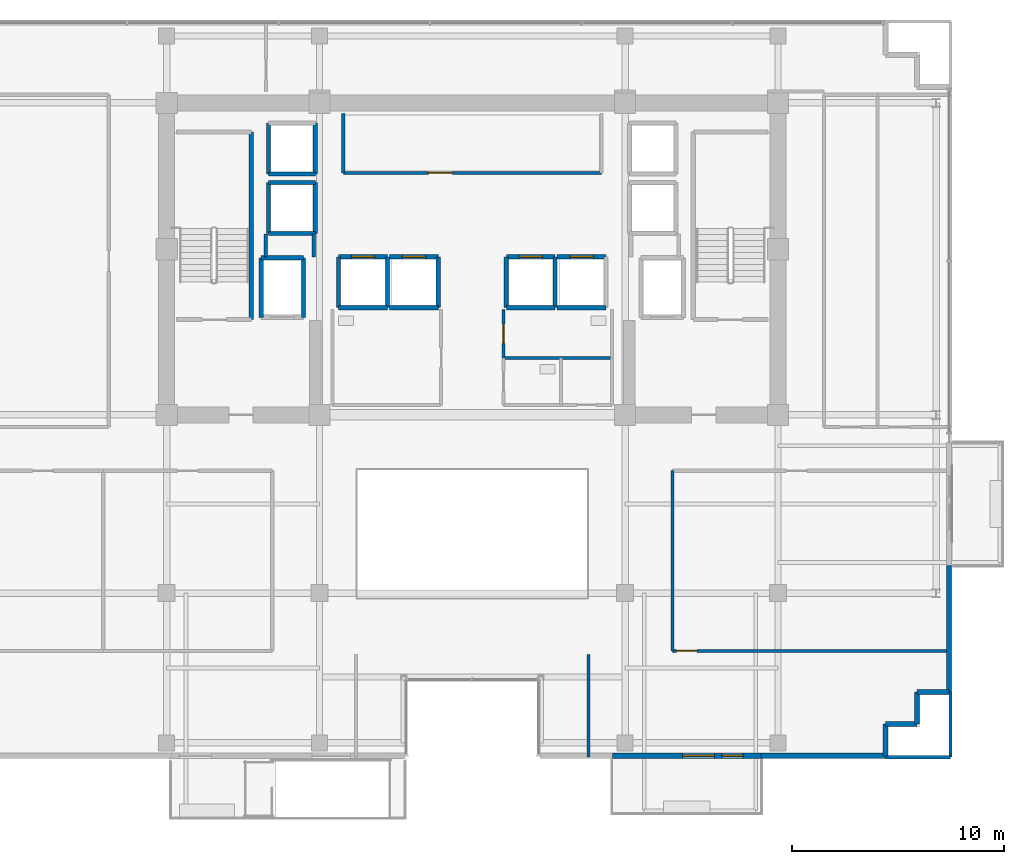
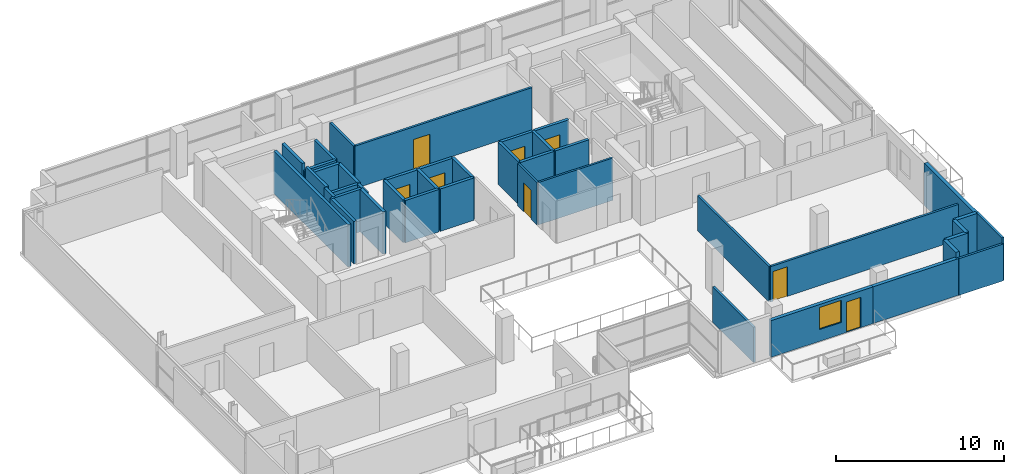
# One storey, part 18 of 23: 42 walls, 8 doors, 1 window, 9 openings.
"""IFC4 building model written with IfcOpenShell, lengths in metres."""

from ifc_helpers import new_model, si_unit, direction, frame, frame_2d, origin, place, context, subcontext, project, spatial, rectangle, extrude, source, transform, mapped, material, layer, layer_set, type_object, element, fill, save


model = new_model("IFC4")

# Units and contexts
model_context = context("Model", 3, precision=1e-05, world=origin(), true_north=direction((0.0, 1.0)))
body_context = subcontext(model_context, "Body", "Model", "MODEL_VIEW")
ifc_project = project(units=[si_unit("LENGTHUNIT", "METRE"), si_unit("AREAUNIT", "SQUARE_METRE"), si_unit("VOLUMEUNIT", "CUBIC_METRE"), si_unit("PLANEANGLEUNIT", "RADIAN"), si_unit("MASSUNIT", "GRAM", prefix="KILO")], contexts=[model_context])

# Site, building, storey
site_placement = place(None, origin())
site = spatial("IfcSite", under=ifc_project, at=site_placement, CompositionType="ELEMENT")
building_placement = place(site_placement, origin())
building = spatial("IfcBuilding", under=site, at=building_placement, Name="Zarnakvel Exchange Tower", CompositionType="ELEMENT")
storey_placement = place(building_placement, frame((0.0, 0.0, 149.5)))
storey = spatial("IfcBuildingStorey", under=building, at=storey_placement, Name="L41", CompositionType="ELEMENT", Elevation=149.5)

# Wall, openings, door, window
ifc_material_1 = material(Name="Precast concrete C40/50", Category="concrete")
ifc_layer_1 = layer(ifc_material_1, 0.239990234375)
ifc_layer_set_1 = layer_set([ifc_layer_1], Name="Precast concrete C40/50")
wall_type_1 = type_object("IfcWallType", Name="EW-02", PredefinedType="SOLIDWALL", material=ifc_layer_set_1)
wall_1_placement = place(storey_placement, frame((13.60009765625, -17.260009765625, 0.0), z_axis=(0.0, 0.0, 1.0), x_axis=(-1.0, 0.0, 0.0)))
wall_1 = element("IfcWall", 1, at=wall_1_placement, inside=storey, type_object=wall_type_1, Name="L41 Exterior Precast Spandrel Wall EW-BAL-L41-SE (EW-02)", PredefinedType="SOLIDWALL", context=body_context, shape_type="SweptSolid", body=[
    extrude(rectangle(XDim=7.0, YDim=0.239990234375, at=frame_2d((3.5, 0.0))), origin(), (0.0, 0.0, 1.0), 2.6650390625),
])
opening_1_placement = place(wall_1_placement, frame((0.840087890625, 0.0, 0.0)))
opening_1 = element("IfcOpeningElement", 2, at=opening_1_placement, cuts=wall_1, Name="Opening BD-L41-01", PredefinedType="OPENING", context=body_context, shape_type="SweptSolid", body=[
    extrude(rectangle(XDim=1.0, YDim=2.199951171875, at=frame_2d((0.5, 1.10009765625))), frame((0.0, 0.1298828125, 0.0), z_axis=(0.0, -1.0, 0.0), x_axis=(1.0, 0.0, 0.0)), (0.0, 0.0, 1.0), 0.260009765625),
])
opening_2_placement = place(wall_1_placement, frame((2.18994140625, 0.0, 0.85009765625)))
opening_2 = element("IfcOpeningElement", 3, at=opening_2_placement, cuts=wall_1, Name="Opening WN-03", PredefinedType="OPENING", context=body_context, shape_type="SweptSolid", body=[
    extrude(rectangle(XDim=1.5, YDim=1.60009765625, at=frame_2d((0.75, 0.800048828125))), frame((0.0, 0.1298828125, 0.0), z_axis=(0.0, -1.0, 0.0), x_axis=(1.0, 0.0, 0.0)), (0.0, 0.0, 1.0), 0.260009765625),
])
ifc_material_2 = material(Name="Architectural Bronze Anodised Aluminium", Category="aluminium")
door_type_1 = type_object("IfcDoorType", Name="DT-09", OperationType="NOTDEFINED", PredefinedType="DOOR", material=ifc_material_2)
shared_shape_1 = source(origin(), body_context, "Body", "SweptSolid", [
    extrude(rectangle(XDim=1.0, YDim=2.199951171875, at=frame_2d((0.5, 1.10009765625))), frame((0.0, 0.02490234375, 0.0), z_axis=(0.0, -1.0, 0.0), x_axis=(1.0, 0.0, 0.0)), (0.0, 0.0, 1.0), 0.050048828125),
])
door_1_placement = place(opening_1_placement, origin())
door_1 = element("IfcDoor", 4, at=door_1_placement, inside=storey, type_object=door_type_1, Name="L41 Planted Loggia Balcony Door BD-L41-01", OperationType="SINGLE_SWING_LEFT", OverallHeight=2.199951171875, OverallWidth=1.0, PredefinedType="DOOR", context=body_context, shape_type="MappedRepresentation", body=[
    mapped(shared_shape_1, transform((0.0, 0.0, 0.0), x_axis=(1.0, 0.0, 0.0), y_axis=(0.0, 1.0, 0.0), z_axis=(0.0, 0.0, 1.0), scale=1.0)),
])
fill(opening_1, door_1)
ifc_material_3 = material(Name="Double Low-E Laminated Vision Glass", Category="glass")
window_type = type_object("IfcWindowType", Name="WN-03", PartitioningType="SINGLE_PANEL", PredefinedType="WINDOW", material=ifc_material_3)
shared_shape_2 = source(origin(), body_context, "Body", "SweptSolid", [
    extrude(rectangle(XDim=1.5, YDim=1.60009765625, at=frame_2d((0.75, 0.800048828125))), frame((0.0, 0.030029296875, 0.0), z_axis=(0.0, -1.0, 0.0), x_axis=(1.0, 0.0, 0.0)), (0.0, 0.0, 1.0), 0.06005859375),
])
window_placement = place(opening_2_placement, origin())
window = element("IfcWindow", 5, at=window_placement, inside=storey, type_object=window_type, Name="L41 Loggia Daylight Window (WN-03)", OverallHeight=1.60009765625, OverallWidth=1.5, PartitioningType="SINGLE_PANEL", PredefinedType="WINDOW", context=body_context, shape_type="MappedRepresentation", body=[
    mapped(shared_shape_2, transform((0.0, 0.0, 0.0), x_axis=(1.0, 0.0, 0.0), y_axis=(0.0, 1.0, 0.0), z_axis=(0.0, 0.0, 1.0), scale=1.0)),
])
fill(opening_2, window)

# Walls
wall_2_placement = place(storey_placement, frame((22.4599609375, -14.260009765625, 0.0), z_axis=(0.0, 0.0, 1.0), x_axis=(0.0, 1.0, 0.0)))
element("IfcWall", 6, at=wall_2_placement, inside=storey, type_object=wall_type_1, Name="L41 Exterior Precast Spandrel Wall EWC-L41-10 (EW-02)", PredefinedType="SOLIDWALL", context=body_context, shape_type="SweptSolid", body=[
    extrude(rectangle(XDim=5.9599609375, YDim=0.239990234375, at=frame_2d((2.97998046875, 0.0))), origin(), (0.0, 0.0, 1.0), 3.074951171875),
])
for number, where, z_axis, x_axis, name in (
    (7, (20.9599609375, -14.260009765625, 0.0), (0.0, 0.0, 1.0), (1.0, 0.0, 0.0), "L41 Exterior Precast Spandrel Wall EWC-L41-11 (EW-02)"),
    (8, (20.9599609375, -15.760009765625, 0.0), (0.0, 0.0, 1.0), (0.0, 1.0, 0.0), "L41 Exterior Precast Spandrel Wall EWC-L41-12 (EW-02)"),
    (9, (19.4599609375, -15.760009765625, 0.0), (0.0, 0.0, 1.0), (1.0, 0.0, 0.0), "L41 Exterior Precast Spandrel Wall EWC-L41-13 (EW-02)"),
    (10, (19.4599609375, -17.260009765625, 0.0), (0.0, 0.0, 1.0), (0.0, 1.0, 0.0), "L41 Exterior Precast Spandrel Wall EWC-L41-14 (EW-02)"),
):
    element("IfcWall", number, at=place(storey_placement, frame(where, z_axis=z_axis, x_axis=x_axis)), inside=storey, type_object=wall_type_1, Name=name, PredefinedType="SOLIDWALL", context=body_context, shape_type="SweptSolid", body=[
        extrude(rectangle(XDim=1.5, YDim=0.239990234375, at=frame_2d((0.75, 0.0))), origin(), (0.0, 0.0, 1.0), 3.074951171875),
    ])
wall_3_placement = place(storey_placement, frame((13.60009765625, -17.260009765625, 0.0), z_axis=(0.0, 0.0, 1.0), x_axis=(1.0, 0.0, 0.0)))
element("IfcWall", 11, at=wall_3_placement, inside=storey, type_object=wall_type_1, Name="L41 Exterior Precast Spandrel Wall EWC-L41-15 (EW-02)", PredefinedType="SOLIDWALL", context=body_context, shape_type="SweptSolid", body=[
    extrude(rectangle(XDim=5.85986328125, YDim=0.239990234375, at=frame_2d((2.929931640625, 0.0))), origin(), (0.0, 0.0, 1.0), 2.6650390625),
])

# Wall, opening, door
ifc_material_4 = material(Name="Fire-Rated Gypsum Stud Partition", Category="gypsum")
ifc_layer_2 = layer(ifc_material_4, 0.14990234375)
ifc_layer_set_2 = layer_set([ifc_layer_2], Name="Fire-Rated Gypsum Stud Partition")
wall_type_2 = type_object("IfcWallType", Name="PT-01", PredefinedType="PARTITIONING", material=ifc_layer_set_2)
wall_4_placement = place(storey_placement, frame((6.080078125, 10.199951171875, 0.0), z_axis=(0.0, 0.0, 1.0), x_axis=(-1.0, 0.0, 0.0)))
wall_4 = element("IfcWall", 12, at=wall_4_placement, inside=storey, type_object=wall_type_2, Name="L41 Partition Wall PWALL-L41-011 (PT-01)", PredefinedType="PARTITIONING", context=body_context, shape_type="SweptSolid", body=[
    extrude(rectangle(XDim=12.16015625, YDim=0.14990234375, at=frame_2d((6.080078125, 0.0))), origin(), (0.0, 0.0, 1.0), 3.074951171875),
])
opening_3_placement = place(wall_4_placement, frame((7.0048828125, 0.0, 0.0)))
opening_3 = element("IfcOpeningElement", 13, at=opening_3_placement, cuts=wall_4, Name="Opening D-L41-05", PredefinedType="OPENING", context=body_context, shape_type="SweptSolid", body=[
    extrude(rectangle(XDim=1.14990234375, YDim=2.14990234375, at=frame_2d((0.574951171875, 1.074951171875))), frame((0.0, 0.0849609375, 0.0), z_axis=(0.0, -1.0, 0.0), x_axis=(1.0, 0.0, 0.0)), (0.0, 0.0, 1.0), 0.169921875),
])
ifc_material_5 = material(Name="Painted Galvanised Steel S355", Category="steel")
door_type_2 = type_object("IfcDoorType", Name="DT-04", OperationType="NOTDEFINED", PredefinedType="DOOR", material=ifc_material_5)
shared_shape_3 = source(origin(), body_context, "Body", "SweptSolid", [
    extrude(rectangle(XDim=1.14990234375, YDim=2.14990234375, at=frame_2d((0.574951171875, 1.074951171875))), frame((0.0, 0.02490234375, 0.0), z_axis=(0.0, -1.0, 0.0), x_axis=(1.0, 0.0, 0.0)), (0.0, 0.0, 1.0), 0.050048828125),
])
door_2_placement = place(opening_3_placement, origin())
door_2 = element("IfcDoor", 14, at=door_2_placement, inside=storey, type_object=door_type_2, Name="L41 Market Data Archive Suite Door D-L41-05", OperationType="SINGLE_SWING_RIGHT", OverallHeight=2.14990234375, OverallWidth=1.14990234375, PredefinedType="DOOR", context=body_context, shape_type="MappedRepresentation", body=[
    mapped(shared_shape_3, transform((0.0, 0.0, 0.0), x_axis=(1.0, 0.0, 0.0), y_axis=(0.0, 1.0, 0.0), z_axis=(0.0, 0.0, 1.0), scale=1.0)),
])
fill(opening_3, door_2)

# Wall
wall_5_placement = place(storey_placement, frame((-6.080078125, 10.199951171875, 0.0), z_axis=(0.0, 0.0, 1.0), x_axis=(0.0, 1.0, 0.0)))
element("IfcWall", 15, at=wall_5_placement, inside=storey, type_object=wall_type_2, Name="L41 Partition Wall PWALL-L41-012 (PT-01)", PredefinedType="PARTITIONING", context=body_context, shape_type="SweptSolid", body=[
    extrude(rectangle(XDim=2.800048828125, YDim=0.14990234375, at=frame_2d((1.39990234375, 0.0))), origin(), (0.0, 0.0, 1.0), 3.074951171875),
])

# Wall, opening, door
wall_6_placement = place(storey_placement, frame((22.530029296875, -12.320068359375, 0.0), z_axis=(0.0, 0.0, 1.0), x_axis=(-1.0, 0.0, 0.0)))
wall_6 = element("IfcWall", 16, at=wall_6_placement, inside=storey, type_object=wall_type_2, Name="L41 Partition Wall PWALL-L41-038 (PT-01)", PredefinedType="PARTITIONING", context=body_context, shape_type="SweptSolid", body=[
    extrude(rectangle(XDim=13.10009765625, YDim=0.14990234375, at=frame_2d((6.550048828125, 0.0))), origin(), (0.0, 0.0, 1.0), 2.56494140625),
])
opening_4_placement = place(wall_6_placement, frame((11.93994140625, 0.0, 0.0)))
opening_4 = element("IfcOpeningElement", 17, at=opening_4_placement, cuts=wall_6, Name="Opening D-L41-15", PredefinedType="OPENING", context=body_context, shape_type="SweptSolid", body=[
    extrude(rectangle(XDim=0.97998046875, YDim=2.14990234375, at=frame_2d((0.489990234375, 1.074951171875))), frame((0.0, 0.0849609375, 0.0), z_axis=(0.0, -1.0, 0.0), x_axis=(1.0, 0.0, 0.0)), (0.0, 0.0, 1.0), 0.169921875),
])
ifc_material_6 = material(Name="Timber Acoustic Veneer", Category="wood")
door_type_3 = type_object("IfcDoorType", Name="DT-05", OperationType="NOTDEFINED", PredefinedType="DOOR", material=ifc_material_6)
shared_shape_4 = source(origin(), body_context, "Body", "SweptSolid", [
    extrude(rectangle(XDim=0.97998046875, YDim=2.14990234375, at=frame_2d((0.489990234375, 1.074951171875))), frame((0.0, 0.02490234375, 0.0), z_axis=(0.0, -1.0, 0.0), x_axis=(1.0, 0.0, 0.0)), (0.0, 0.0, 1.0), 0.050048828125),
])
door_3_placement = place(opening_4_placement, origin())
door_3 = element("IfcDoor", 18, at=door_3_placement, inside=storey, type_object=door_type_3, Name="L41 Members Club Lounge Door D-L41-15", OperationType="SINGLE_SWING_RIGHT", OverallHeight=2.14990234375, OverallWidth=0.97998046875, PredefinedType="DOOR", context=body_context, shape_type="MappedRepresentation", body=[
    mapped(shared_shape_4, transform((0.0, 0.0, 0.0), x_axis=(1.0, 0.0, 0.0), y_axis=(0.0, 1.0, 0.0), z_axis=(0.0, 0.0, 1.0), scale=1.0)),
])
fill(opening_4, door_3)

# Walls
wall_7_placement = place(storey_placement, frame((9.429931640625, -12.320068359375, 0.0), z_axis=(0.0, 0.0, 1.0), x_axis=(0.0, 1.0, 0.0)))
element("IfcWall", 19, at=wall_7_placement, inside=storey, type_object=wall_type_2, Name="L41 Partition Wall PWALL-L41-040 (PT-01)", PredefinedType="PARTITIONING", context=body_context, shape_type="SweptSolid", body=[
    extrude(rectangle(XDim=8.489990234375, YDim=0.14990234375, at=frame_2d((4.2451171875, 0.0))), origin(), (0.0, 0.0, 1.0), 2.56494140625),
])
wall_8_placement = place(storey_placement, frame((22.530029296875, -17.330078125, 0.0), z_axis=(0.0, 0.0, 1.0), x_axis=(-1.0, 0.0, 0.0)))
element("IfcWall", 20, at=wall_8_placement, inside=storey, type_object=wall_type_2, Name="L41 Partition Wall PWALL-L41-042 (PT-01)", PredefinedType="PARTITIONING", context=body_context, shape_type="SweptSolid", body=[
    extrude(rectangle(XDim=3.070068359375, YDim=0.14990234375, at=frame_2d((1.53515625, 0.0))), origin(), (0.0, 0.0, 1.0), 2.6650390625),
])
wall_9_placement = place(storey_placement, frame((5.47998046875, -17.330078125, 0.0), z_axis=(0.0, 0.0, 1.0), x_axis=(0.0, 1.0, 0.0)))
element("IfcWall", 21, at=wall_9_placement, inside=storey, type_object=wall_type_2, Name="L41 Partition Wall PWALL-L41-043 (PT-01)", PredefinedType="PARTITIONING", context=body_context, shape_type="SweptSolid", body=[
    extrude(rectangle(XDim=4.85009765625, YDim=0.14990234375, at=frame_2d((2.425048828125, 0.0))), origin(), (0.0, 0.0, 1.0), 2.56494140625),
])
wall_10_placement = place(storey_placement, frame((22.530029296875, -14.260009765625, 0.0), z_axis=(0.0, 0.0, 1.0), x_axis=(0.0, -1.0, 0.0)))
element("IfcWall", 22, at=wall_10_placement, inside=storey, type_object=wall_type_2, Name="L41 Partition Wall PWALL-L41-044 (PT-01)", PredefinedType="PARTITIONING", context=body_context, shape_type="SweptSolid", body=[
    extrude(rectangle(XDim=3.070068359375, YDim=0.14990234375, at=frame_2d((1.53515625, 0.0))), origin(), (0.0, 0.0, 1.0), 3.074951171875),
])
ifc_layer_3 = layer(ifc_material_4, 0.179931640625)
ifc_layer_set_3 = layer_set([ifc_layer_3], Name="Fire-Rated Gypsum Stud Partition")
wall_type_3 = type_object("IfcWallType", Name="PT-02", PredefinedType="PARTITIONING", material=ifc_layer_set_3)
wall_11_placement = place(storey_placement, frame((-9.72998046875, 6.239990234375, 0.0), z_axis=(0.0, 0.0, 1.0), x_axis=(0.0, 1.0, 0.0)))
element("IfcWall", 23, at=wall_11_placement, inside=storey, type_object=wall_type_3, Name="L41 Partition Wall PWALL-L41-007 (PT-02)", PredefinedType="PARTITIONING", context=body_context, shape_type="SweptSolid", body=[
    extrude(rectangle(XDim=1.090087890625, YDim=0.179931640625, at=frame_2d((0.544921875, 0.0))), origin(), (0.0, 0.0, 1.0), 3.074951171875),
])
wall_12_placement = place(storey_placement, frame((-7.469970703125, 7.330078125, 0.0), z_axis=(0.0, 0.0, 1.0), x_axis=(0.0, -1.0, 0.0)))
element("IfcWall", 24, at=wall_12_placement, inside=storey, type_object=wall_type_3, Name="L41 Partition Wall PWALL-L41-008 (PT-02)", PredefinedType="PARTITIONING", context=body_context, shape_type="SweptSolid", body=[
    extrude(rectangle(XDim=1.090087890625, YDim=0.179931640625, at=frame_2d((0.544921875, 0.0))), origin(), (0.0, 0.0, 1.0), 2.56494140625),
])
ifc_material_7 = material(Name="Moisture-Resistant Tile-Faced Partition", Category="gypsum")
ifc_layer_4 = layer(ifc_material_7, 0.135009765625)
ifc_layer_set_4 = layer_set([ifc_layer_4], Name="Moisture-Resistant Tile-Faced Partition")
wall_type_4 = type_object("IfcWallType", Name="PT-03", PredefinedType="PARTITIONING", material=ifc_layer_set_4)
wall_13_placement = place(storey_placement, frame((6.580078125, 1.47998046875, 0.0), z_axis=(0.0, 0.0, 1.0), x_axis=(-1.0, 0.0, 0.0)))
element("IfcWall", 25, at=wall_13_placement, inside=storey, type_object=wall_type_4, Name="L41 Partition Wall PWALL-L41-017 (PT-03)", PredefinedType="PARTITIONING", context=body_context, shape_type="SweptSolid", body=[
    extrude(rectangle(XDim=5.110107421875, YDim=0.135009765625, at=frame_2d((2.55517578125, 0.0))), origin(), (0.0, 0.0, 1.0), 3.074951171875),
])

# Wall, opening, door
wall_14_placement = place(storey_placement, frame((1.469970703125, 1.47998046875, 0.0), z_axis=(0.0, 0.0, 1.0), x_axis=(0.0, 1.0, 0.0)))
wall_14 = element("IfcWall", 26, at=wall_14_placement, inside=storey, type_object=wall_type_4, Name="L41 Partition Wall PWALL-L41-018 (PT-03)", PredefinedType="PARTITIONING", context=body_context, shape_type="SweptSolid", body=[
    extrude(rectangle(XDim=2.280029296875, YDim=0.135009765625, at=frame_2d((1.14013671875, 0.0))), origin(), (0.0, 0.0, 1.0), 3.074951171875),
])
opening_5_placement = place(wall_14_placement, frame((0.679931640625, 0.0, 0.0)))
opening_5 = element("IfcOpeningElement", 27, at=opening_5_placement, cuts=wall_14, Name="Opening D-L41-07", PredefinedType="OPENING", context=body_context, shape_type="SweptSolid", body=[
    extrude(rectangle(XDim=0.919921875, YDim=2.10009765625, at=frame_2d((0.4599609375, 1.050048828125))), frame((0.0, 0.077392578125, 0.0), z_axis=(0.0, -1.0, 0.0), x_axis=(1.0, 0.0, 0.0)), (0.0, 0.0, 1.0), 0.155029296875),
])
ifc_material_8 = material(Name="Moisture-Resistant Laminate Timber", Category="wood")
door_type_4 = type_object("IfcDoorType", Name="DT-07", OperationType="NOTDEFINED", PredefinedType="DOOR", material=ifc_material_8)
shared_shape_5 = source(origin(), body_context, "Body", "SweptSolid", [
    extrude(rectangle(XDim=0.919921875, YDim=2.10009765625, at=frame_2d((0.4599609375, 1.050048828125))), frame((0.0, 0.02490234375, 0.0), z_axis=(0.0, -1.0, 0.0), x_axis=(1.0, 0.0, 0.0)), (0.0, 0.0, 1.0), 0.050048828125),
])
door_4_placement = place(opening_5_placement, origin())
door_4 = element("IfcDoor", 28, at=door_4_placement, inside=storey, type_object=door_type_4, Name="L41 Female Toilet Door D-L41-07", OperationType="SINGLE_SWING_RIGHT", OverallHeight=2.10009765625, OverallWidth=0.919921875, PredefinedType="DOOR", context=body_context, shape_type="MappedRepresentation", body=[
    mapped(shared_shape_5, transform((0.0, 0.0, 0.0), x_axis=(1.0, 0.0, 0.0), y_axis=(0.0, 1.0, 0.0), z_axis=(0.0, 0.0, 1.0), scale=1.0)),
])
fill(opening_5, door_4)

# Walls
ifc_material_9 = material(Name="Concrete C40/50", Category="concrete")
ifc_layer_5 = layer(ifc_material_9, 0.199951171875)
ifc_layer_set_5 = layer_set([ifc_layer_5], Name="Concrete C40/50")
wall_type_5 = type_object("IfcWallType", Name="SW-01", PredefinedType="SOLIDWALL", material=ifc_layer_set_5)
wall_15_placement = place(storey_placement, frame((-9.949951171875, 6.199951171875, 0.0), z_axis=(0.0, 0.0, 1.0), x_axis=(1.0, 0.0, 0.0)))
element("IfcWall", 29, at=wall_15_placement, inside=storey, type_object=wall_type_5, Name="L41 FL-01 Hoistway Wall North", PredefinedType="SOLIDWALL", context=body_context, shape_type="SweptSolid", body=[
    extrude(rectangle(XDim=2.0, YDim=0.199951171875, at=frame_2d((1.0, 0.0))), origin(), (0.0, 0.0, 1.0), 3.074951171875),
])
for number, where, z_axis, x_axis, name in (
    (30, (-9.949951171875, 3.39990234375, 0.0), (0.0, 0.0, 1.0), (0.0, 1.0, 0.0), "L41 FL-01 Hoistway Wall West"),
    (31, (-7.949951171875, 6.199951171875, 0.0), (0.0, 0.0, 1.0), (0.0, -1.0, 0.0), "L41 FL-01 Hoistway Wall East"),
):
    element("IfcWall", number, at=place(storey_placement, frame(where, z_axis=z_axis, x_axis=x_axis)), inside=storey, type_object=wall_type_5, Name=name, PredefinedType="SOLIDWALL", context=body_context, shape_type="SweptSolid", body=[
        extrude(rectangle(XDim=2.800048828125, YDim=0.199951171875, at=frame_2d((1.39990234375, 0.0))), origin(), (0.0, 0.0, 1.0), 3.074951171875),
    ])
wall_16_placement = place(storey_placement, frame((-4.0, 3.85009765625, 0.0), z_axis=(0.0, 0.0, 1.0), x_axis=(-1.0, 0.0, 0.0)))
element("IfcWall", 32, at=wall_16_placement, inside=storey, type_object=wall_type_5, Name="L41 PL-05 Hoistway Wall South", PredefinedType="SOLIDWALL", context=body_context, shape_type="SweptSolid", body=[
    extrude(rectangle(XDim=2.300048828125, YDim=0.199951171875, at=frame_2d((1.14990234375, 0.0))), origin(), (0.0, 0.0, 1.0), 3.074951171875),
])

# Wall, opening, door
wall_17_placement = place(storey_placement, frame((-6.300048828125, 6.25, 0.0), z_axis=(0.0, 0.0, 1.0), x_axis=(1.0, 0.0, 0.0)))
wall_17 = element("IfcWall", 33, at=wall_17_placement, inside=storey, type_object=wall_type_5, Name="L41 PL-05 Hoistway Wall North", PredefinedType="SOLIDWALL", context=body_context, shape_type="SweptSolid", body=[
    extrude(rectangle(XDim=2.300048828125, YDim=0.199951171875, at=frame_2d((1.14990234375, 0.0))), origin(), (0.0, 0.0, 1.0), 3.074951171875),
])
opening_6_placement = place(wall_17_placement, frame((0.60009765625, 0.0, 0.0)))
opening_6 = element("IfcOpeningElement", 34, at=opening_6_placement, cuts=wall_17, Name="Opening LD-PL-05-L41", PredefinedType="OPENING", context=body_context, shape_type="SweptSolid", body=[
    extrude(rectangle(XDim=1.10009765625, YDim=2.199951171875, at=frame_2d((0.550048828125, 1.10009765625))), frame((0.0, 0.10986328125, 0.0), z_axis=(0.0, -1.0, 0.0), x_axis=(1.0, 0.0, 0.0)), (0.0, 0.0, 1.0), 0.219970703125),
])
door_type_5 = type_object("IfcDoorType", Name="LDT-02", OperationType="NOTDEFINED", PredefinedType="DOOR", material=ifc_material_2)
shared_shape_6 = source(origin(), body_context, "Body", "SweptSolid", [
    extrude(rectangle(XDim=1.10009765625, YDim=2.199951171875, at=frame_2d((0.550048828125, 1.10009765625))), frame((0.0, 0.02490234375, 0.0), z_axis=(0.0, -1.0, 0.0), x_axis=(1.0, 0.0, 0.0)), (0.0, 0.0, 1.0), 0.050048828125),
])
door_5_placement = place(opening_6_placement, origin())
door_5 = element("IfcDoor", 35, at=door_5_placement, inside=storey, type_object=door_type_5, Name="L41 PL-05 Lift Landing Door LD-PL-05-L41", OperationType="DOUBLE_DOOR_SLIDING", OverallHeight=2.199951171875, OverallWidth=1.10009765625, PredefinedType="DOOR", context=body_context, shape_type="MappedRepresentation", body=[
    mapped(shared_shape_6, transform((0.0, 0.0, 0.0), x_axis=(1.0, 0.0, 0.0), y_axis=(0.0, 1.0, 0.0), z_axis=(0.0, 0.0, 1.0), scale=1.0)),
])
fill(opening_6, door_5)

# Walls
for number, where, z_axis, x_axis, name in (
    (36, (-6.300048828125, 3.85009765625, 0.0), (0.0, 0.0, 1.0), (0.0, 1.0, 0.0), "L41 PL-05 Hoistway Wall West"),
    (37, (-4.0, 6.25, 0.0), (0.0, 0.0, 1.0), (0.0, -1.0, 0.0), "L41 PL-05 Hoistway Wall East"),
):
    element("IfcWall", number, at=place(storey_placement, frame(where, z_axis=z_axis, x_axis=x_axis)), inside=storey, type_object=wall_type_5, Name=name, PredefinedType="SOLIDWALL", context=body_context, shape_type="SweptSolid", body=[
        extrude(rectangle(XDim=2.39990234375, YDim=0.199951171875, at=frame_2d((1.199951171875, 0.0))), origin(), (0.0, 0.0, 1.0), 3.074951171875),
    ])
wall_18_placement = place(storey_placement, frame((-1.60009765625, 3.85009765625, 0.0), z_axis=(0.0, 0.0, 1.0), x_axis=(-1.0, 0.0, 0.0)))
element("IfcWall", 38, at=wall_18_placement, inside=storey, type_object=wall_type_5, Name="L41 PL-06 Hoistway Wall South", PredefinedType="SOLIDWALL", context=body_context, shape_type="SweptSolid", body=[
    extrude(rectangle(XDim=2.2998046875, YDim=0.199951171875, at=frame_2d((1.14990234375, 0.0))), origin(), (0.0, 0.0, 1.0), 3.074951171875),
])

# Wall, opening, door
wall_19_placement = place(storey_placement, frame((-3.89990234375, 6.25, 0.0), z_axis=(0.0, 0.0, 1.0), x_axis=(1.0, 0.0, 0.0)))
wall_19 = element("IfcWall", 39, at=wall_19_placement, inside=storey, type_object=wall_type_5, Name="L41 PL-06 Hoistway Wall North", PredefinedType="SOLIDWALL", context=body_context, shape_type="SweptSolid", body=[
    extrude(rectangle(XDim=2.2998046875, YDim=0.199951171875, at=frame_2d((1.14990234375, 0.0))), origin(), (0.0, 0.0, 1.0), 3.074951171875),
])
opening_7_placement = place(wall_19_placement, frame((0.60009765625, 0.0, 0.0)))
opening_7 = element("IfcOpeningElement", 40, at=opening_7_placement, cuts=wall_19, Name="Opening LD-PL-06-L41", PredefinedType="OPENING", context=body_context, shape_type="SweptSolid", body=[
    extrude(rectangle(XDim=1.10009765625, YDim=2.199951171875, at=frame_2d((0.550048828125, 1.10009765625))), frame((0.0, 0.10986328125, 0.0), z_axis=(0.0, -1.0, 0.0), x_axis=(1.0, 0.0, 0.0)), (0.0, 0.0, 1.0), 0.219970703125),
])
door_6_placement = place(opening_7_placement, origin())
door_6 = element("IfcDoor", 41, at=door_6_placement, inside=storey, type_object=door_type_5, Name="L41 PL-06 Lift Landing Door LD-PL-06-L41", OperationType="DOUBLE_DOOR_SLIDING", OverallHeight=2.199951171875, OverallWidth=1.10009765625, PredefinedType="DOOR", context=body_context, shape_type="MappedRepresentation", body=[
    mapped(shared_shape_6, transform((0.0, 0.0, 0.0), x_axis=(1.0, 0.0, 0.0), y_axis=(0.0, 1.0, 0.0), z_axis=(0.0, 0.0, 1.0), scale=1.0)),
])
fill(opening_7, door_6)

# Walls
wall_20_placement = place(storey_placement, frame((-1.60009765625, 6.25, 0.0), z_axis=(0.0, 0.0, 1.0), x_axis=(0.0, -1.0, 0.0)))
element("IfcWall", 42, at=wall_20_placement, inside=storey, type_object=wall_type_5, Name="L41 PL-06 Hoistway Wall East", PredefinedType="SOLIDWALL", context=body_context, shape_type="SweptSolid", body=[
    extrude(rectangle(XDim=2.39990234375, YDim=0.199951171875, at=frame_2d((1.199951171875, 0.0))), origin(), (0.0, 0.0, 1.0), 3.074951171875),
])
wall_21_placement = place(storey_placement, frame((3.89990234375, 3.85009765625, 0.0), z_axis=(0.0, 0.0, 1.0), x_axis=(-1.0, 0.0, 0.0)))
element("IfcWall", 43, at=wall_21_placement, inside=storey, type_object=wall_type_5, Name="L41 PL-07 Hoistway Wall South", PredefinedType="SOLIDWALL", context=body_context, shape_type="SweptSolid", body=[
    extrude(rectangle(XDim=2.2998046875, YDim=0.199951171875, at=frame_2d((1.14990234375, 0.0))), origin(), (0.0, 0.0, 1.0), 3.074951171875),
])

# Wall, opening, door
wall_22_placement = place(storey_placement, frame((1.60009765625, 6.25, 0.0), z_axis=(0.0, 0.0, 1.0), x_axis=(1.0, 0.0, 0.0)))
wall_22 = element("IfcWall", 44, at=wall_22_placement, inside=storey, type_object=wall_type_5, Name="L41 PL-07 Hoistway Wall North", PredefinedType="SOLIDWALL", context=body_context, shape_type="SweptSolid", body=[
    extrude(rectangle(XDim=2.2998046875, YDim=0.199951171875, at=frame_2d((1.14990234375, 0.0))), origin(), (0.0, 0.0, 1.0), 3.074951171875),
])
opening_8_placement = place(wall_22_placement, frame((0.60009765625, 0.0, 0.0)))
opening_8 = element("IfcOpeningElement", 45, at=opening_8_placement, cuts=wall_22, Name="Opening LD-PL-07-L41", PredefinedType="OPENING", context=body_context, shape_type="SweptSolid", body=[
    extrude(rectangle(XDim=1.10009765625, YDim=2.199951171875, at=frame_2d((0.550048828125, 1.10009765625))), frame((0.0, 0.10986328125, 0.0), z_axis=(0.0, -1.0, 0.0), x_axis=(1.0, 0.0, 0.0)), (0.0, 0.0, 1.0), 0.219970703125),
])
door_7_placement = place(opening_8_placement, origin())
door_7 = element("IfcDoor", 46, at=door_7_placement, inside=storey, type_object=door_type_5, Name="L41 PL-07 Lift Landing Door LD-PL-07-L41", OperationType="DOUBLE_DOOR_SLIDING", OverallHeight=2.199951171875, OverallWidth=1.10009765625, PredefinedType="DOOR", context=body_context, shape_type="MappedRepresentation", body=[
    mapped(shared_shape_6, transform((0.0, 0.0, 0.0), x_axis=(1.0, 0.0, 0.0), y_axis=(0.0, 1.0, 0.0), z_axis=(0.0, 0.0, 1.0), scale=1.0)),
])
fill(opening_8, door_7)

# Walls
for number, where, z_axis, x_axis, name in (
    (47, (1.60009765625, 3.85009765625, 0.0), (0.0, 0.0, 1.0), (0.0, 1.0, 0.0), "L41 PL-07 Hoistway Wall West"),
    (48, (3.89990234375, 6.25, 0.0), (0.0, 0.0, 1.0), (0.0, -1.0, 0.0), "L41 PL-07 Hoistway Wall East"),
):
    element("IfcWall", number, at=place(storey_placement, frame(where, z_axis=z_axis, x_axis=x_axis)), inside=storey, type_object=wall_type_5, Name=name, PredefinedType="SOLIDWALL", context=body_context, shape_type="SweptSolid", body=[
        extrude(rectangle(XDim=2.39990234375, YDim=0.199951171875, at=frame_2d((1.199951171875, 0.0))), origin(), (0.0, 0.0, 1.0), 3.074951171875),
    ])
wall_23_placement = place(storey_placement, frame((6.300048828125, 3.85009765625, 0.0), z_axis=(0.0, 0.0, 1.0), x_axis=(-1.0, 0.0, 0.0)))
element("IfcWall", 49, at=wall_23_placement, inside=storey, type_object=wall_type_5, Name="L41 PL-08 Hoistway Wall South", PredefinedType="SOLIDWALL", context=body_context, shape_type="SweptSolid", body=[
    extrude(rectangle(XDim=2.300048828125, YDim=0.199951171875, at=frame_2d((1.14990234375, 0.0))), origin(), (0.0, 0.0, 1.0), 3.074951171875),
])

# Wall, opening, door
wall_24_placement = place(storey_placement, frame((4.0, 6.25, 0.0), z_axis=(0.0, 0.0, 1.0), x_axis=(1.0, 0.0, 0.0)))
wall_24 = element("IfcWall", 50, at=wall_24_placement, inside=storey, type_object=wall_type_5, Name="L41 PL-08 Hoistway Wall North", PredefinedType="SOLIDWALL", context=body_context, shape_type="SweptSolid", body=[
    extrude(rectangle(XDim=2.300048828125, YDim=0.199951171875, at=frame_2d((1.14990234375, 0.0))), origin(), (0.0, 0.0, 1.0), 3.074951171875),
])
opening_9_placement = place(wall_24_placement, frame((0.60009765625, 0.0, 0.0)))
opening_9 = element("IfcOpeningElement", 51, at=opening_9_placement, cuts=wall_24, Name="Opening LD-PL-08-L41", PredefinedType="OPENING", context=body_context, shape_type="SweptSolid", body=[
    extrude(rectangle(XDim=1.10009765625, YDim=2.199951171875, at=frame_2d((0.550048828125, 1.10009765625))), frame((0.0, 0.10986328125, 0.0), z_axis=(0.0, -1.0, 0.0), x_axis=(1.0, 0.0, 0.0)), (0.0, 0.0, 1.0), 0.219970703125),
])
door_8_placement = place(opening_9_placement, origin())
door_8 = element("IfcDoor", 52, at=door_8_placement, inside=storey, type_object=door_type_5, Name="L41 PL-08 Lift Landing Door LD-PL-08-L41", OperationType="DOUBLE_DOOR_SLIDING", OverallHeight=2.199951171875, OverallWidth=1.10009765625, PredefinedType="DOOR", context=body_context, shape_type="MappedRepresentation", body=[
    mapped(shared_shape_6, transform((0.0, 0.0, 0.0), x_axis=(1.0, 0.0, 0.0), y_axis=(0.0, 1.0, 0.0), z_axis=(0.0, 0.0, 1.0), scale=1.0)),
])
fill(opening_9, door_8)

# Walls
for number, where, z_axis, x_axis, name in (
    (53, (-7.39990234375, 7.35009765625, 0.0), (0.0, 0.0, 1.0), (-1.0, 0.0, 0.0), "L41 PL-09 Hoistway Wall South"),
    (54, (-9.60009765625, 9.75, 0.0), (0.0, 0.0, 1.0), (1.0, 0.0, 0.0), "L41 PL-09 Hoistway Wall North"),
):
    element("IfcWall", number, at=place(storey_placement, frame(where, z_axis=z_axis, x_axis=x_axis)), inside=storey, type_object=wall_type_5, Name=name, PredefinedType="SOLIDWALL", context=body_context, shape_type="SweptSolid", body=[
        extrude(rectangle(XDim=2.2001953125, YDim=0.199951171875, at=frame_2d((1.10009765625, 0.0))), origin(), (0.0, 0.0, 1.0), 2.56494140625),
    ])
wall_25_placement = place(storey_placement, frame((-9.60009765625, 7.35009765625, 0.0), z_axis=(0.0, 0.0, 1.0), x_axis=(0.0, 1.0, 0.0)))
element("IfcWall", 55, at=wall_25_placement, inside=storey, type_object=wall_type_5, Name="L41 PL-09 Hoistway Wall West", PredefinedType="SOLIDWALL", context=body_context, shape_type="SweptSolid", body=[
    extrude(rectangle(XDim=2.39990234375, YDim=0.199951171875, at=frame_2d((1.199951171875, 0.0))), origin(), (0.0, 0.0, 1.0), 3.074951171875),
])
wall_26_placement = place(storey_placement, frame((-7.39990234375, 9.75, 0.0), z_axis=(0.0, 0.0, 1.0), x_axis=(0.0, -1.0, 0.0)))
element("IfcWall", 56, at=wall_26_placement, inside=storey, type_object=wall_type_5, Name="L41 PL-09 Hoistway Wall East", PredefinedType="SOLIDWALL", context=body_context, shape_type="SweptSolid", body=[
    extrude(rectangle(XDim=2.39990234375, YDim=0.199951171875, at=frame_2d((1.199951171875, 0.0))), origin(), (0.0, 0.0, 1.0), 2.56494140625),
])
wall_27_placement = place(storey_placement, frame((-7.39990234375, 10.14990234375, 0.0), z_axis=(0.0, 0.0, 1.0), x_axis=(-1.0, 0.0, 0.0)))
element("IfcWall", 57, at=wall_27_placement, inside=storey, type_object=wall_type_5, Name="L41 PL-10 Hoistway Wall South", PredefinedType="SOLIDWALL", context=body_context, shape_type="SweptSolid", body=[
    extrude(rectangle(XDim=2.2001953125, YDim=0.199951171875, at=frame_2d((1.10009765625, 0.0))), origin(), (0.0, 0.0, 1.0), 2.56494140625),
])
wall_28_placement = place(storey_placement, frame((-9.60009765625, 10.14990234375, 0.0), z_axis=(0.0, 0.0, 1.0), x_axis=(0.0, 1.0, 0.0)))
element("IfcWall", 58, at=wall_28_placement, inside=storey, type_object=wall_type_5, Name="L41 PL-10 Hoistway Wall West", PredefinedType="SOLIDWALL", context=body_context, shape_type="SweptSolid", body=[
    extrude(rectangle(XDim=2.400146484375, YDim=0.199951171875, at=frame_2d((1.2001953125, 0.0))), origin(), (0.0, 0.0, 1.0), 3.074951171875),
])
wall_29_placement = place(storey_placement, frame((-7.39990234375, 12.550048828125, 0.0), z_axis=(0.0, 0.0, 1.0), x_axis=(0.0, -1.0, 0.0)))
element("IfcWall", 59, at=wall_29_placement, inside=storey, type_object=wall_type_5, Name="L41 PL-10 Hoistway Wall East", PredefinedType="SOLIDWALL", context=body_context, shape_type="SweptSolid", body=[
    extrude(rectangle(XDim=2.400146484375, YDim=0.199951171875, at=frame_2d((1.2001953125, 0.0))), origin(), (0.0, 0.0, 1.0), 2.56494140625),
])
ifc_layer_6 = layer(ifc_material_9, 0.199951171875)
ifc_layer_set_6 = layer_set([ifc_layer_6], Name="Concrete C40/50")
wall_type_6 = type_object("IfcWallType", Name="SW-02", PredefinedType="SOLIDWALL", material=ifc_layer_set_6)
wall_30_placement = place(storey_placement, frame((-10.409912109375, 12.1298828125, 0.0), z_axis=(0.0, 0.0, 1.0), x_axis=(0.0, -1.0, 0.0)))
element("IfcWall", 60, at=wall_30_placement, inside=storey, type_object=wall_type_6, Name="L41 Stairwell Core Wall PWALL-L41-003 (SW-02)", PredefinedType="SOLIDWALL", context=body_context, shape_type="SweptSolid", body=[
    extrude(rectangle(XDim=8.83984375, YDim=0.199951171875, at=frame_2d((4.419921875, 0.0))), origin(), (0.0, 0.0, 1.0), 3.074951171875),
])

save(model, "model.ifc")
